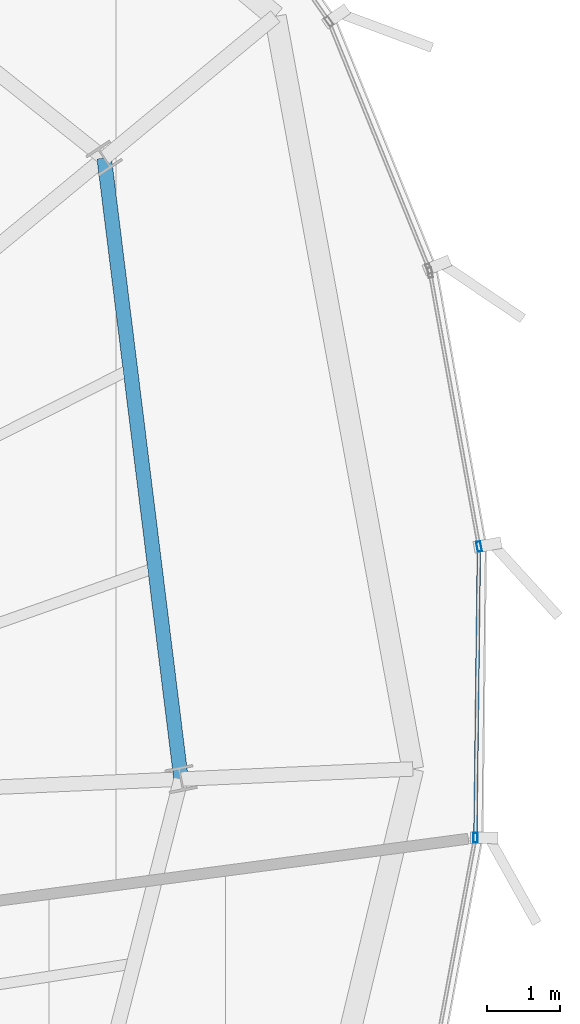
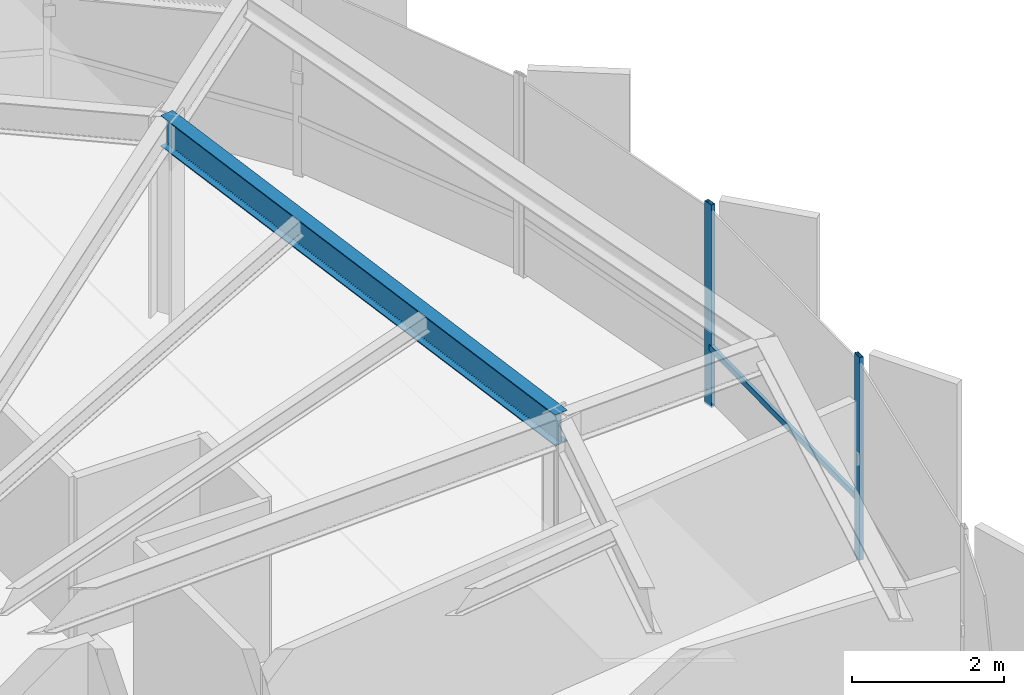
# One storey, part 20 of 37: 3 members, 1 beam, 1 element without a shape of its own.
"""IFC4 building model written with IfcOpenShell, lengths in metres."""

from ifc_helpers import new_model, si_unit, direction, frame, origin, origin_2d, place, context, subcontext, project, spatial, hollow_rectangle, i_section, extrude, source, transform, mapped, material, layer, layer_set, material_profile, profile_set, type_object, element, aggregate, save


model = new_model("IFC4")

# Units and contexts
model_context = context("Model", 3, precision=1e-05, world=origin(), true_north=direction((0.0, 1.0)))
body_context = subcontext(model_context, "Body", "Model", "MODEL_VIEW")
ifc_project = project(units=[si_unit("LENGTHUNIT", "METRE"), si_unit("AREAUNIT", "SQUARE_METRE"), si_unit("VOLUMEUNIT", "CUBIC_METRE"), si_unit("PLANEANGLEUNIT", "RADIAN"), si_unit("MASSUNIT", "GRAM", prefix="KILO"), si_unit("THERMODYNAMICTEMPERATUREUNIT", "KELVIN")], contexts=[model_context])

# Site, building, storey
site_placement = place(None, origin())
site = spatial("IfcSite", under=ifc_project, at=site_placement, CompositionType="ELEMENT")
building_placement = place(site_placement, origin())
building = spatial("IfcBuilding", under=site, at=building_placement, Name="Kethvar Cultural Tower", CompositionType="ELEMENT")
storey_placement = place(building_placement, frame((0.0, 0.0, 200.89990234375)))
storey = spatial("IfcBuildingStorey", under=building, at=storey_placement, Name="L52", CompositionType="ELEMENT", Elevation=200.89990234375)

# Beam
ifc_material_1 = material(Name="Steel S355J2", Category="steel")
ifc_material_profile_1 = material_profile(ifc_material_1, i_section(OverallWidth=0.199951171875, OverallDepth=0.5, WebThickness=0.01025390625, FlangeThickness=0.01611328125, FilletRadius=0.02099609375, at=origin_2d()), Name="Steel S355J2 — IPE500")
ifc_profile_set_1 = profile_set([ifc_material_profile_1], Name="Steel S355J2 — IPE500")
beam_type = type_object("IfcBeamType", Name="BM-IPE500", PredefinedType="BEAM", material=ifc_profile_set_1)
shared_shape_1 = source(origin(), body_context, "Body", "SweptSolid", [
    extrude(i_section(OverallWidth=0.199951171875, OverallDepth=0.5, WebThickness=0.01025390625, FlangeThickness=0.01611328125, FilletRadius=0.02099609375, at=origin_2d()), origin(), (0.0, 0.0, 1.0), 8.6318359375),
])
beam_placement = place(storey_placement, frame((66.56396484375, 31.731201171875, 3.008056640625), z_axis=(-0.122781430908, 0.992433735936, 0.0), x_axis=(-0.992433735936, -0.122781430908, 0.0)))
element("IfcBeam", 1, at=beam_placement, inside=storey, type_object=beam_type, Name="L52 Column Ring Tie Beam CR-01", PredefinedType="BEAM", context=body_context, shape_type="MappedRepresentation", body=[
    mapped(shared_shape_1, transform((0.0, 0.0, 0.0), scale=1.0)),
])

# Curtain wall, members
ifc_material_2 = material(Name="Aluminium 6063-T6", Category="aluminium")
ifc_layer = layer(ifc_material_2, 0.179931640625, Name="Aluminium 6063-T6", Category="aluminium")
ifc_layer_set = layer_set([ifc_layer], Name="Aluminium 6063-T6 (180 mm)")
curtain_wall_type = type_object("IfcCurtainWallType", Name="CW-SYS-04-Z34", PredefinedType="NOTDEFINED", material=ifc_layer_set)
curtain_wall_placement = place(storey_placement, origin())
curtain_wall = element("IfcCurtainWall", 2, at=curtain_wall_placement, inside=storey, type_object=curtain_wall_type, Name="L52 Curtain Wall Run 06", PredefinedType="NOTDEFINED")
ifc_material_profile_2 = material_profile(ifc_material_2, hollow_rectangle(XDim=0.06005859375, YDim=0.139892578125, WallThickness=0.0048828125, at=origin_2d()), Name="Aluminium 6063-T6 — RHS140x60x5")
ifc_profile_set_2 = profile_set([ifc_material_profile_2], Name="Aluminium 6063-T6 — RHS140x60x5")
member_type_1 = type_object("IfcMemberType", Name="CW-SYS-04-Z34-MUL", PredefinedType="MULLION", material=ifc_profile_set_2)
shared_shape_2 = source(origin(), body_context, "Body", "SweptSolid", [
    extrude(hollow_rectangle(XDim=0.06005859375, YDim=0.139892578125, WallThickness=0.0048828125, at=origin_2d()), origin(), (0.0, 0.0, 1.0), 3.260009765625),
])
member_1_placement = place(storey_placement, frame((70.623779296875, 30.92236328125, 0.0), z_axis=(0.0, 0.0, 1.0), x_axis=(-0.999926643539, 0.012112288829, 0.0)))
member_1 = element("IfcMember", 3, at=member_1_placement, type_object=member_type_1, Name="CW-L52-R06 Mullion 5", PredefinedType="MULLION", context=body_context, shape_type="MappedRepresentation", body=[
    mapped(shared_shape_2, transform((0.0, 0.0, 0.0), scale=1.0)),
])
member_2_placement = place(storey_placement, frame((70.67431640625, 34.938720703125, 0.0), z_axis=(0.0, 0.0, 1.0), x_axis=(-0.98436821771, -0.176122718475, 0.0)))
member_2 = element("IfcMember", 4, at=member_2_placement, type_object=member_type_1, Name="CW-L52-R06 Mullion 6", PredefinedType="MULLION", context=body_context, shape_type="MappedRepresentation", body=[
    mapped(shared_shape_2, transform((0.0, 0.0, 0.0), scale=1.0)),
])
ifc_material_profile_3 = material_profile(ifc_material_2, hollow_rectangle(XDim=0.050048828125, YDim=0.10009765625, WallThickness=0.00390625, at=origin_2d()), Name="Aluminium 6063-T6 — RHS100x50x4")
ifc_profile_set_3 = profile_set([ifc_material_profile_3], Name="Aluminium 6063-T6 — RHS100x50x4")
member_type_2 = type_object("IfcMemberType", Name="CW-SYS-04-Z34-TRN", PredefinedType="USERDEFINED", material=ifc_profile_set_3)
shared_shape_3 = source(origin(), body_context, "Body", "SweptSolid", [
    extrude(hollow_rectangle(XDim=0.050048828125, YDim=0.10009765625, WallThickness=0.00390625, at=origin_2d()), origin(), (0.0, 0.0, 1.0), 3.950927734375),
])
member_3_placement = place(storey_placement, frame((70.624267578125, 30.965576171875, 0.9501953125), z_axis=(0.012111335088, 0.999926655091, 0.0), x_axis=(-0.999926655091, 0.012111335088, 0.0)))
member_3 = element("IfcMember", 5, at=member_3_placement, type_object=member_type_2, Name="CW-L52-R06 Transom 5", ObjectType="TRANSOM", PredefinedType="USERDEFINED", context=body_context, shape_type="MappedRepresentation", body=[
    mapped(shared_shape_3, transform((0.0, 0.0, 0.0), scale=1.0)),
])
aggregate(curtain_wall, [member_1, member_2, member_3])

save(model, "model.ifc")
